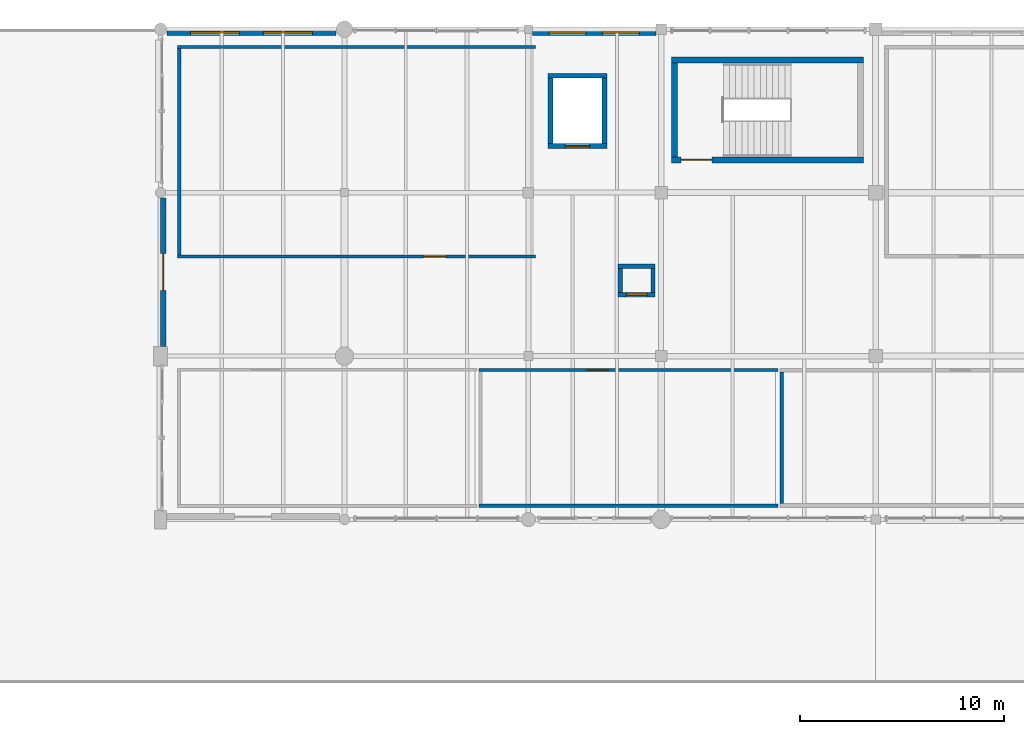
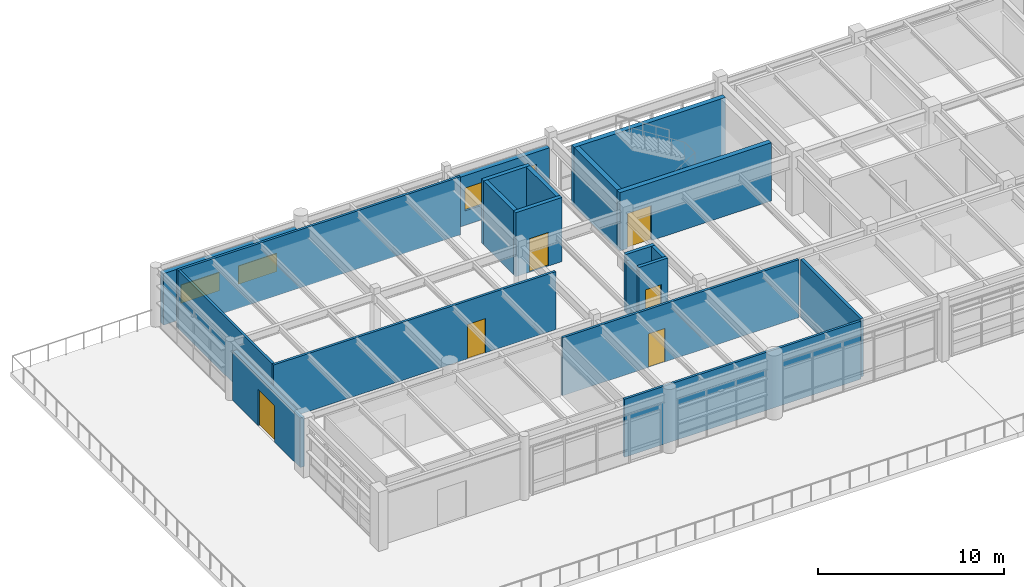
# One storey, part 48 of 56: 20 walls, 6 doors, 4 windows, 10 openings.
"""IFC4 building model written with IfcOpenShell, lengths in metres."""

from ifc_helpers import new_model, si_unit, direction, frame, frame_2d, origin, place, context, subcontext, project, spatial, rectangle, extrude, material, layer, layer_set, type_object, element, fill, save


model = new_model("IFC4")

# Units and contexts
model_context = context("Model", 3, precision=1e-05, world=origin(), true_north=direction((0.0, 1.0)))
body_context = subcontext(model_context, "Body", "Model", "MODEL_VIEW")
ifc_project = project(units=[si_unit("LENGTHUNIT", "METRE"), si_unit("AREAUNIT", "SQUARE_METRE"), si_unit("VOLUMEUNIT", "CUBIC_METRE"), si_unit("PLANEANGLEUNIT", "RADIAN"), si_unit("MASSUNIT", "GRAM", prefix="KILO"), si_unit("THERMODYNAMICTEMPERATUREUNIT", "KELVIN"), si_unit("POWERUNIT", "WATT")], contexts=[model_context])

# Site, building, storey
site_placement = place(None, origin())
site = spatial("IfcSite", under=ifc_project, at=site_placement, CompositionType="ELEMENT")
building_placement = place(site_placement, origin())
building = spatial("IfcBuilding", under=site, at=building_placement, Name="Tepalcoro Natatorium and Aquatics Centre", CompositionType="ELEMENT")
storey_placement = place(building_placement, frame((0.0, 0.0, 14.800048828125)))
storey = spatial("IfcBuildingStorey", under=building, at=storey_placement, Name="L03", CompositionType="ELEMENT", Elevation=14.800048828125)

# Wall, opening, door
ifc_material_1 = material(Name="Precast Concrete C45/55 (fc 45 MPa)", Category="concrete")
ifc_layer_1 = layer(ifc_material_1, 0.260009765625)
ifc_layer_set_1 = layer_set([ifc_layer_1], Name="Precast Concrete C45/55 (fc 45 MPa)")
wall_type_1 = type_object("IfcWallType", Name="WL_EXT_GABLE_260", PredefinedType="SOLIDWALL", material=ifc_layer_set_1)
wall_1_placement = place(storey_placement, frame((107.1298828125, 102.47900390625, 0.0), z_axis=(0.0, 0.0, 1.0), x_axis=(0.0, 1.0, 0.0)))
wall_1 = element("IfcWall", 1, at=wall_1_placement, inside=storey, type_object=wall_type_1, Name="V5 L03 W Volcanic Basalt Envelope Wall", PredefinedType="SOLIDWALL", context=body_context, shape_type="SweptSolid", body=[
    extrude(rectangle(XDim=7.26708984375, YDim=0.260009765625, at=frame_2d((3.633544921875, 0.0))), origin(), (0.0, 0.0, 1.0), 3.238037109375),
])
opening_1_placement = place(wall_1_placement, frame((2.7333984375, 0.0, 0.0)))
opening_1 = element("IfcOpeningElement", 2, at=opening_1_placement, cuts=wall_1, Name="Opening ED5048", PredefinedType="OPENING", context=body_context, shape_type="SweptSolid", body=[
    extrude(rectangle(XDim=1.800048828125, YDim=2.39990234375, at=frame_2d((0.89990234375, 1.199951171875))), frame((0.0, 0.14208984375, 0.0), z_axis=(0.0, -1.0, 0.0), x_axis=(1.0, 0.0, 0.0)), (0.0, 0.0, 1.0), 0.283935546875),
])
ifc_material_2 = material(Name="Bronze-Anodised Extruded Aluminium Alloy EN AW-6063 T6", Category="aluminium")
door_type_1 = type_object("IfcDoorType", Name="DR_180x240_TERR", OperationType="NOTDEFINED", PredefinedType="DOOR", material=ifc_material_2)
door_1_placement = place(opening_1_placement, origin())
door_1 = element("IfcDoor", 3, at=door_1_placement, inside=storey, type_object=door_type_1, Name="V5 L03 Spa Terrace Door W", OperationType="DOUBLE_DOOR_SINGLE_SWING", OverallHeight=2.39990234375, OverallWidth=1.800048828125, PredefinedType="DOOR", context=body_context, shape_type="SweptSolid", body=[
    extrude(rectangle(XDim=1.800048828125, YDim=2.39990234375, at=frame_2d((0.89990234375, 1.199951171875))), frame((0.0, 0.02490234375, 0.0), z_axis=(0.0, -1.0, 0.0), x_axis=(1.0, 0.0, 0.0)), (0.0, 0.0, 1.0), 0.050048828125),
])
fill(opening_1, door_1)

# Wall, openings, windows
ifc_material_3 = material(Name="Jalisco Cantera Rosa Volcanic Tuff Ashlar Masonry", Category="masonry")
ifc_layer_2 = layer(ifc_material_3, 0.304931640625)
ifc_layer_set_2 = layer_set([ifc_layer_2], Name="Jalisco Cantera Rosa Volcanic Tuff Ashlar Masonry")
wall_type_2 = type_object("IfcWallType", Name="WL_EXT_TERRACOTTA_300", PredefinedType="SOLIDWALL", material=ifc_layer_set_2)
wall_2_placement = place(storey_placement, frame((107.303955078125, 117.847412109375, 0.0), z_axis=(0.0, 0.0, 1.0), x_axis=(1.0, 0.0, 0.0)))
wall_2 = element("IfcWall", 4, at=wall_2_placement, inside=storey, type_object=wall_type_2, Name="V5 L03 N Volcanic Basalt Envelope Wall", PredefinedType="SOLIDWALL", context=body_context, shape_type="SweptSolid", body=[
    extrude(rectangle(XDim=8.2919921875, YDim=0.304931640625, at=frame_2d((4.14599609375, 0.0))), origin(), (0.0, 0.0, 1.0), 3.376953125),
])
opening_2_placement = place(wall_2_placement, frame((1.1640625, 0.0, 0.949951171875)))
opening_2 = element("IfcOpeningElement", 5, at=opening_2_placement, cuts=wall_2, Name="Opening W0107A", PredefinedType="OPENING", context=body_context, shape_type="SweptSolid", body=[
    extrude(rectangle(XDim=2.39990234375, YDim=1.199951171875, at=frame_2d((1.199951171875, 0.60009765625))), frame((0.0, 0.16455078125, 0.0), z_axis=(0.0, -1.0, 0.0), x_axis=(1.0, 0.0, 0.0)), (0.0, 0.0, 1.0), 0.328857421875),
])
opening_3_placement = place(wall_2_placement, frame((4.72802734375, 0.0, 0.949951171875)))
opening_3 = element("IfcOpeningElement", 6, at=opening_3_placement, cuts=wall_2, Name="Opening W0107B", PredefinedType="OPENING", context=body_context, shape_type="SweptSolid", body=[
    extrude(rectangle(XDim=2.39990234375, YDim=1.199951171875, at=frame_2d((1.199951171875, 0.60009765625))), frame((0.0, 0.16455078125, 0.0), z_axis=(0.0, -1.0, 0.0), x_axis=(1.0, 0.0, 0.0)), (0.0, 0.0, 1.0), 0.328857421875),
])
ifc_material_4 = material(Name="Solar-Control Bronze Tempered Low-E Double Glazing", Category="glass")
window_type_1 = type_object("IfcWindowType", Name="WN_240x120", PartitioningType="SINGLE_PANEL", PredefinedType="WINDOW", material=ifc_material_4)
window_1_placement = place(opening_2_placement, origin())
window_1 = element("IfcWindow", 7, at=window_1_placement, inside=storey, type_object=window_type_1, Name="Exterior Thermal Window WN_240x120", OverallHeight=1.199951171875, OverallWidth=2.39990234375, PartitioningType="SINGLE_PANEL", PredefinedType="WINDOW", context=body_context, shape_type="SweptSolid", body=[
    extrude(rectangle(XDim=2.39990234375, YDim=1.199951171875, at=frame_2d((1.199951171875, 0.60009765625))), frame((0.0, 0.030029296875, 0.0), z_axis=(0.0, -1.0, 0.0), x_axis=(1.0, 0.0, 0.0)), (0.0, 0.0, 1.0), 0.06005859375),
])
fill(opening_2, window_1)
window_2_placement = place(opening_3_placement, origin())
window_2 = element("IfcWindow", 8, at=window_2_placement, inside=storey, type_object=window_type_1, Name="Exterior Thermal Window WN_240x120", OverallHeight=1.199951171875, OverallWidth=2.39990234375, PartitioningType="SINGLE_PANEL", PredefinedType="WINDOW", context=body_context, shape_type="SweptSolid", body=[
    extrude(rectangle(XDim=2.39990234375, YDim=1.199951171875, at=frame_2d((1.199951171875, 0.60009765625))), frame((0.0, 0.030029296875, 0.0), z_axis=(0.0, -1.0, 0.0), x_axis=(1.0, 0.0, 0.0)), (0.0, 0.0, 1.0), 0.06005859375),
])
fill(opening_3, window_2)

wall_3_placement = place(storey_placement, frame((125.2041015625, 117.847412109375, 0.0), z_axis=(0.0, 0.0, 1.0), x_axis=(1.0, 0.0, 0.0)))
wall_3 = element("IfcWall", 9, at=wall_3_placement, inside=storey, type_object=wall_type_2, Name="V5 L03 N Volcanic Basalt Envelope Wall", PredefinedType="SOLIDWALL", context=body_context, shape_type="SweptSolid", body=[
    extrude(rectangle(XDim=6.0419921875, YDim=0.304931640625, at=frame_2d((3.02099609375, 0.0))), origin(), (0.0, 0.0, 1.0), 3.25390625),
])
opening_4_placement = place(wall_3_placement, frame((0.81396484375, 0.0, 0.949951171875)))
opening_4 = element("IfcOpeningElement", 10, at=opening_4_placement, cuts=wall_3, Name="Opening W0108A", PredefinedType="OPENING", context=body_context, shape_type="SweptSolid", body=[
    extrude(rectangle(XDim=1.800048828125, YDim=1.5, at=frame_2d((0.89990234375, 0.75))), frame((0.0, 0.16455078125, 0.0), z_axis=(0.0, -1.0, 0.0), x_axis=(1.0, 0.0, 0.0)), (0.0, 0.0, 1.0), 0.328857421875),
])
opening_5_placement = place(wall_3_placement, frame((3.427978515625, 0.0, 0.949951171875)))
opening_5 = element("IfcOpeningElement", 11, at=opening_5_placement, cuts=wall_3, Name="Opening W0108B", PredefinedType="OPENING", context=body_context, shape_type="SweptSolid", body=[
    extrude(rectangle(XDim=1.800048828125, YDim=1.5, at=frame_2d((0.89990234375, 0.75))), frame((0.0, 0.16455078125, 0.0), z_axis=(0.0, -1.0, 0.0), x_axis=(1.0, 0.0, 0.0)), (0.0, 0.0, 1.0), 0.328857421875),
])
window_type_2 = type_object("IfcWindowType", Name="WN_180x150", PartitioningType="SINGLE_PANEL", PredefinedType="WINDOW", material=ifc_material_4)
window_3_placement = place(opening_4_placement, origin())
window_3 = element("IfcWindow", 12, at=window_3_placement, inside=storey, type_object=window_type_2, Name="Exterior Thermal Window WN_180x150", OverallHeight=1.5, OverallWidth=1.800048828125, PartitioningType="SINGLE_PANEL", PredefinedType="WINDOW", context=body_context, shape_type="SweptSolid", body=[
    extrude(rectangle(XDim=1.800048828125, YDim=1.5, at=frame_2d((0.89990234375, 0.75))), frame((0.0, 0.030029296875, 0.0), z_axis=(0.0, -1.0, 0.0), x_axis=(1.0, 0.0, 0.0)), (0.0, 0.0, 1.0), 0.06005859375),
])
fill(opening_4, window_3)
window_4_placement = place(opening_5_placement, origin())
window_4 = element("IfcWindow", 13, at=window_4_placement, inside=storey, type_object=window_type_2, Name="Exterior Thermal Window WN_180x150", OverallHeight=1.5, OverallWidth=1.800048828125, PartitioningType="SINGLE_PANEL", PredefinedType="WINDOW", context=body_context, shape_type="SweptSolid", body=[
    extrude(rectangle(XDim=1.800048828125, YDim=1.5, at=frame_2d((0.89990234375, 0.75))), frame((0.0, 0.030029296875, 0.0), z_axis=(0.0, -1.0, 0.0), x_axis=(1.0, 0.0, 0.0)), (0.0, 0.0, 1.0), 0.06005859375),
])
fill(opening_5, window_4)

# Wall
ifc_material_5 = material(Name="Moisture-Resistant Acoustic Gypsum Drywall on Cold-Formed Metal Studs")
ifc_layer_3 = layer(ifc_material_5, 0.14990234375)
ifc_layer_set_3 = layer_set([ifc_layer_3], Name="Moisture-Resistant Acoustic Gypsum Drywall on Cold-Formed Metal Studs")
wall_type_3 = type_object("IfcWallType", Name="WL_PART_150_AC", PredefinedType="PARTITIONING", material=ifc_layer_set_3)
wall_4_placement = place(storey_placement, frame((122.572998046875, 94.675048828125, 0.0), z_axis=(0.0, 0.0, 1.0), x_axis=(1.0, 0.0, 0.0)))
element("IfcWall", 14, at=wall_4_placement, inside=storey, type_object=wall_type_3, Name="Hypoxic Altitude Simulation Training Chamber Partition S", PredefinedType="PARTITIONING", context=body_context, shape_type="SweptSolid", body=[
    extrude(rectangle(XDim=14.654052734375, YDim=0.14990234375, at=frame_2d((7.3271484375, 0.0))), origin(), (0.0, 0.0, 1.0), 3.804931640625),
])

# Wall, opening, door
wall_5_placement = place(storey_placement, frame((122.572998046875, 101.324951171875, 0.0), z_axis=(0.0, 0.0, 1.0), x_axis=(1.0, 0.0, 0.0)))
wall_5 = element("IfcWall", 15, at=wall_5_placement, inside=storey, type_object=wall_type_3, Name="Hypoxic Altitude Simulation Training Chamber Partition N", PredefinedType="PARTITIONING", context=body_context, shape_type="SweptSolid", body=[
    extrude(rectangle(XDim=14.654052734375, YDim=0.14990234375, at=frame_2d((7.3271484375, 0.0))), origin(), (0.0, 0.0, 1.0), 3.804931640625),
])
opening_6_placement = place(wall_5_placement, frame((5.31298828125, 0.0, 0.0)))
opening_6 = element("IfcOpeningElement", 16, at=opening_6_placement, cuts=wall_5, Name="Opening D0183", PredefinedType="OPENING", context=body_context, shape_type="SweptSolid", body=[
    extrude(rectangle(XDim=1.02001953125, YDim=2.199951171875, at=frame_2d((0.510009765625, 1.10009765625))), frame((0.0, 0.0869140625, 0.0), z_axis=(0.0, -1.0, 0.0), x_axis=(1.0, 0.0, 0.0)), (0.0, 0.0, 1.0), 0.173828125),
])
ifc_material_6 = material(Name="Galvanised Steel Insulated Acoustic Fire Door Assembly", Category="steel")
door_type_2 = type_object("IfcDoorType", Name="DR_100x220_FD90", OperationType="NOTDEFINED", PredefinedType="DOOR", material=ifc_material_6)
door_2_placement = place(opening_6_placement, frame((1.02001953125, 0.0, 0.0), z_axis=(0.0, 0.0, 1.0), x_axis=(-1.0, 0.0, 0.0)))
door_2 = element("IfcDoor", 17, at=door_2_placement, inside=storey, type_object=door_type_2, Name="Hypoxic Altitude Simulation Training Chamber Door", OperationType="SINGLE_SWING_RIGHT", OverallHeight=2.199951171875, OverallWidth=1.02001953125, PredefinedType="DOOR", context=body_context, shape_type="SweptSolid", body=[
    extrude(rectangle(XDim=1.02001953125, YDim=2.199951171875, at=frame_2d((0.510009765625, 1.10009765625))), frame((0.0, 0.02490234375, 0.0), z_axis=(0.0, -1.0, 0.0), x_axis=(1.0, 0.0, 0.0)), (0.0, 0.0, 1.0), 0.050048828125),
])
fill(opening_6, door_2)

wall_6_placement = place(storey_placement, frame((107.840087890625, 106.875, 0.0), z_axis=(0.0, 0.0, 1.0), x_axis=(1.0, 0.0, 0.0)))
wall_6 = element("IfcWall", 18, at=wall_6_placement, inside=storey, type_object=wall_type_3, Name="Biochemistry & Haematology Physiology Lab Partition S", PredefinedType="PARTITIONING", context=body_context, shape_type="SweptSolid", body=[
    extrude(rectangle(XDim=17.52001953125, YDim=0.14990234375, at=frame_2d((8.760009765625, 0.0))), origin(), (0.0, 0.0, 1.0), 3.804931640625),
])
opening_7_placement = place(wall_6_placement, frame((12.0400390625, 0.0, 0.0)))
opening_7 = element("IfcOpeningElement", 19, at=opening_7_placement, cuts=wall_6, Name="Opening D0187", PredefinedType="OPENING", context=body_context, shape_type="SweptSolid", body=[
    extrude(rectangle(XDim=1.10009765625, YDim=2.25, at=frame_2d((0.550048828125, 1.125))), frame((0.0, 0.0869140625, 0.0), z_axis=(0.0, -1.0, 0.0), x_axis=(1.0, 0.0, 0.0)), (0.0, 0.0, 1.0), 0.173828125),
])
ifc_material_7 = material(Name="Solid-Core Moisture-Sealed Oak Timber Leaf in Aluminium Frame", Category="wood")
door_type_3 = type_object("IfcDoorType", Name="DR_110x225", OperationType="NOTDEFINED", PredefinedType="DOOR", material=ifc_material_7)
door_3_placement = place(opening_7_placement, origin())
door_3 = element("IfcDoor", 20, at=door_3_placement, inside=storey, type_object=door_type_3, Name="Biochemistry & Haematology Physiology Lab Door", OperationType="SINGLE_SWING_RIGHT", OverallHeight=2.25, OverallWidth=1.10009765625, PredefinedType="DOOR", context=body_context, shape_type="SweptSolid", body=[
    extrude(rectangle(XDim=1.10009765625, YDim=2.25, at=frame_2d((0.550048828125, 1.125))), frame((0.0, 0.02490234375, 0.0), z_axis=(0.0, -1.0, 0.0), x_axis=(1.0, 0.0, 0.0)), (0.0, 0.0, 1.0), 0.050048828125),
])
fill(opening_7, door_3)

# Walls
wall_7_placement = place(storey_placement, frame((107.840087890625, 117.125, 0.0), z_axis=(0.0, 0.0, 1.0), x_axis=(1.0, 0.0, 0.0)))
element("IfcWall", 21, at=wall_7_placement, inside=storey, type_object=wall_type_3, Name="Biochemistry & Haematology Physiology Lab Partition N", PredefinedType="PARTITIONING", context=body_context, shape_type="SweptSolid", body=[
    extrude(rectangle(XDim=17.52001953125, YDim=0.14990234375, at=frame_2d((8.760009765625, 0.0))), origin(), (0.0, 0.0, 1.0), 3.804931640625),
])
wall_8_placement = place(storey_placement, frame((107.9150390625, 106.949951171875, 0.0), z_axis=(0.0, 0.0, 1.0), x_axis=(0.0, 1.0, 0.0)))
element("IfcWall", 22, at=wall_8_placement, inside=storey, type_object=wall_type_3, Name="Biochemistry & Haematology Physiology Lab Partition W", PredefinedType="PARTITIONING", context=body_context, shape_type="SweptSolid", body=[
    extrude(rectangle(XDim=10.10009765625, YDim=0.14990234375, at=frame_2d((5.050048828125, 0.0))), origin(), (0.0, 0.0, 1.0), 3.804931640625),
])
ifc_layer_4 = layer(ifc_material_5, 0.179931640625)
ifc_layer_set_4 = layer_set([ifc_layer_4], Name="Moisture-Resistant Acoustic Gypsum Drywall on Cold-Formed Metal Studs")
wall_type_4 = type_object("IfcWallType", Name="WL_PART_180_AC", PredefinedType="PARTITIONING", material=ifc_layer_set_4)
wall_9_placement = place(storey_placement, frame((137.39697265625, 94.780029296875, 0.0), z_axis=(0.0, 0.0, 1.0), x_axis=(0.0, 1.0, 0.0)))
element("IfcWall", 23, at=wall_9_placement, inside=storey, type_object=wall_type_4, Name="Swim-Flume Fluid Dynamics & Drag Research Lab Partition W", PredefinedType="PARTITIONING", context=body_context, shape_type="SweptSolid", body=[
    extrude(rectangle(XDim=6.43994140625, YDim=0.179931640625, at=frame_2d((3.219970703125, 0.0))), origin(), (0.0, 0.0, 1.0), 3.804931640625),
])

# Wall, opening, door
ifc_material_8 = material(Name="Concrete C40/50 (fc 40 MPa)", Category="concrete")
ifc_layer_5 = layer(ifc_material_8, 0.239990234375)
ifc_layer_set_5 = layer_set([ifc_layer_5], Name="Concrete C40/50 (fc 40 MPa)")
wall_type_5 = type_object("IfcWallType", Name="WL_SHAFT_240", PredefinedType="SOLIDWALL", material=ifc_layer_set_5)
wall_10_placement = place(storey_placement, frame((125.9599609375, 112.280029296875, 0.0), z_axis=(0.0, 0.0, 1.0), x_axis=(1.0, 0.0, 0.0)))
wall_10 = element("IfcWall", 24, at=wall_10_placement, inside=storey, type_object=wall_type_5, Name="LF05 Lift Shaft Wall S L03", PredefinedType="SOLIDWALL", context=body_context, shape_type="SweptSolid", body=[
    extrude(rectangle(XDim=2.880126953125, YDim=0.239990234375, at=frame_2d((1.43994140625, 0.0))), origin(), (0.0, 0.0, 1.0), 4.199951171875),
])
opening_8_placement = place(wall_10_placement, frame((0.840087890625, 0.0, 0.0)))
opening_8 = element("IfcOpeningElement", 25, at=opening_8_placement, cuts=wall_10, Name="Opening LD-LF05-L03", PredefinedType="OPENING", context=body_context, shape_type="SweptSolid", body=[
    extrude(rectangle(XDim=1.199951171875, YDim=2.199951171875, at=frame_2d((0.60009765625, 1.10009765625))), frame((0.0, 0.1318359375, 0.0), z_axis=(0.0, -1.0, 0.0), x_axis=(1.0, 0.0, 0.0)), (0.0, 0.0, 1.0), 0.263916015625),
])
ifc_material_9 = material(Name="Marine-Grade Brushed Stainless Steel AISI 316L", Category="steel")
door_type_4 = type_object("IfcDoorType", Name="DR_120x220_LIFT", OperationType="NOTDEFINED", PredefinedType="USERDEFINED", material=ifc_material_9)
door_4_placement = place(opening_8_placement, origin())
door_4 = element("IfcDoor", 26, at=door_4_placement, inside=storey, type_object=door_type_4, Name="LF05 Lift Landing Sliding Door (L03)", ObjectType="SLIDING LANDING DOOR", OperationType="SLIDING_TO_RIGHT", OverallHeight=2.199951171875, OverallWidth=1.199951171875, PredefinedType="USERDEFINED", context=body_context, shape_type="SweptSolid", body=[
    extrude(rectangle(XDim=1.199951171875, YDim=2.199951171875, at=frame_2d((0.60009765625, 1.10009765625))), frame((0.0, 0.02490234375, 0.0), z_axis=(0.0, -1.0, 0.0), x_axis=(1.0, 0.0, 0.0)), (0.0, 0.0, 1.0), 0.050048828125),
])
fill(opening_8, door_4)

# Walls
wall_11_placement = place(storey_placement, frame((125.9599609375, 115.719970703125, 0.0), z_axis=(0.0, 0.0, 1.0), x_axis=(1.0, 0.0, 0.0)))
element("IfcWall", 27, at=wall_11_placement, inside=storey, type_object=wall_type_5, Name="LF05 Lift Shaft Wall N L03", PredefinedType="SOLIDWALL", context=body_context, shape_type="SweptSolid", body=[
    extrude(rectangle(XDim=2.880126953125, YDim=0.239990234375, at=frame_2d((1.43994140625, 0.0))), origin(), (0.0, 0.0, 1.0), 4.199951171875),
])
for number, where, z_axis, x_axis, name in (
    (28, (126.080078125, 112.39990234375, 0.0), (0.0, 0.0, 1.0), (0.0, 1.0, 0.0), "LF05 Lift Shaft Wall W L03"),
    (29, (128.719970703125, 112.39990234375, 0.0), (0.0, 0.0, 1.0), (0.0, 1.0, 0.0), "LF05 Lift Shaft Wall E L03"),
):
    element("IfcWall", number, at=place(storey_placement, frame(where, z_axis=z_axis, x_axis=x_axis)), inside=storey, type_object=wall_type_5, Name=name, PredefinedType="SOLIDWALL", context=body_context, shape_type="SweptSolid", body=[
        extrude(rectangle(XDim=3.2001953125, YDim=0.239990234375, at=frame_2d((1.60009765625, 0.0))), origin(), (0.0, 0.0, 1.0), 4.199951171875),
    ])

# Wall, opening, door
ifc_layer_6 = layer(ifc_material_8, 0.300048828125)
ifc_layer_set_6 = layer_set([ifc_layer_6], Name="Concrete C40/50 (fc 40 MPa)")
wall_type_6 = type_object("IfcWallType", Name="WL_SHEAR_300", PredefinedType="SHEAR", material=ifc_layer_set_6)
wall_12_placement = place(storey_placement, frame((132.0, 111.60009765625, 0.0), z_axis=(0.0, 0.0, 1.0), x_axis=(1.0, 0.0, 0.0)))
wall_12 = element("IfcWall", 30, at=wall_12_placement, inside=storey, type_object=wall_type_6, Name="ST09 Core Shear Wall S L03", PredefinedType="SHEAR", context=body_context, shape_type="SweptSolid", body=[
    extrude(rectangle(XDim=9.39990234375, YDim=0.300048828125, at=frame_2d((4.699951171875, 0.0))), origin(), (0.0, 0.0, 1.0), 3.820068359375),
])
opening_9_placement = place(wall_12_placement, frame((0.47998046875, 0.0, 0.0)))
opening_9 = element("IfcOpeningElement", 31, at=opening_9_placement, cuts=wall_12, Name="Opening D0036", PredefinedType="OPENING", context=body_context, shape_type="SweptSolid", body=[
    extrude(rectangle(XDim=1.5, YDim=2.300048828125, at=frame_2d((0.75, 1.14990234375))), frame((0.0, 0.162109375, 0.0), z_axis=(0.0, -1.0, 0.0), x_axis=(1.0, 0.0, 0.0)), (0.0, 0.0, 1.0), 0.323974609375),
])
door_type_5 = type_object("IfcDoorType", Name="DR_150x230_FD60", OperationType="NOTDEFINED", PredefinedType="DOOR", material=ifc_material_6)
door_5_placement = place(opening_9_placement, origin())
door_5 = element("IfcDoor", 32, at=door_5_placement, inside=storey, type_object=door_type_5, Name="ST09 Fire Stair Door (L03)", OperationType="DOUBLE_DOOR_SINGLE_SWING", OverallHeight=2.300048828125, OverallWidth=1.5, PredefinedType="DOOR", context=body_context, shape_type="SweptSolid", body=[
    extrude(rectangle(XDim=1.5, YDim=2.300048828125, at=frame_2d((0.75, 1.14990234375))), frame((0.0, 0.02490234375, 0.0), z_axis=(0.0, -1.0, 0.0), x_axis=(1.0, 0.0, 0.0)), (0.0, 0.0, 1.0), 0.050048828125),
])
fill(opening_9, door_5)

# Walls
wall_13_placement = place(storey_placement, frame((132.0, 116.5, 0.0), z_axis=(0.0, 0.0, 1.0), x_axis=(1.0, 0.0, 0.0)))
element("IfcWall", 33, at=wall_13_placement, inside=storey, type_object=wall_type_6, Name="ST09 Core Shear Wall N L03", PredefinedType="SHEAR", context=body_context, shape_type="SweptSolid", body=[
    extrude(rectangle(XDim=9.39990234375, YDim=0.300048828125, at=frame_2d((4.699951171875, 0.0))), origin(), (0.0, 0.0, 1.0), 3.820068359375),
])
wall_14_placement = place(storey_placement, frame((132.14990234375, 111.75, 0.0), z_axis=(0.0, 0.0, 1.0), x_axis=(0.0, 1.0, 0.0)))
element("IfcWall", 34, at=wall_14_placement, inside=storey, type_object=wall_type_6, Name="ST09 Core Shear Wall W L03", PredefinedType="SHEAR", context=body_context, shape_type="SweptSolid", body=[
    extrude(rectangle(XDim=4.60009765625, YDim=0.300048828125, at=frame_2d((2.300048828125, 0.0))), origin(), (0.0, 0.0, 1.0), 3.820068359375),
])

# Wall, opening, door
ifc_material_10 = material(Name="Concrete C35/45 (fc 35 MPa)", Category="concrete")
ifc_layer_7 = layer(ifc_material_10, 0.205078125)
ifc_layer_set_7 = layer_set([ifc_layer_7], Name="Concrete C35/45 (fc 35 MPa)")
wall_type_7 = type_object("IfcWallType", Name="WL_SOLID_200_FR120", PredefinedType="SOLIDWALL", material=ifc_layer_set_7)
wall_15_placement = place(storey_placement, frame((129.39990234375, 105.00244140625, 0.0), z_axis=(0.0, 0.0, 1.0), x_axis=(1.0, 0.0, 0.0)))
wall_15 = element("IfcWall", 35, at=wall_15_placement, inside=storey, type_object=wall_type_7, Name="V5 L03 MEP Switchgear & Telecom Closet Partition S", PredefinedType="SOLIDWALL", context=body_context, shape_type="SweptSolid", body=[
    extrude(rectangle(XDim=1.800048828125, YDim=0.205078125, at=frame_2d((0.89990234375, 0.0))), origin(), (0.0, 0.0, 1.0), 3.804931640625),
])
opening_10_placement = place(wall_15_placement, frame((0.39990234375, 0.0, 0.0)))
opening_10 = element("IfcOpeningElement", 36, at=opening_10_placement, cuts=wall_15, Name="Opening D0050", PredefinedType="OPENING", context=body_context, shape_type="SweptSolid", body=[
    extrude(rectangle(XDim=1.0, YDim=2.199951171875, at=frame_2d((0.5, 1.10009765625))), frame((0.0, 0.114501953125, 0.0), z_axis=(0.0, -1.0, 0.0), x_axis=(1.0, 0.0, 0.0)), (0.0, 0.0, 1.0), 0.22900390625),
])
door_type_6 = type_object("IfcDoorType", Name="DR_100x220_FD60", OperationType="NOTDEFINED", PredefinedType="DOOR", material=ifc_material_6)
door_6_placement = place(opening_10_placement, origin())
door_6 = element("IfcDoor", 37, at=door_6_placement, inside=storey, type_object=door_type_6, Name="V5 L03 MEP Switchgear & Telecom Closet Door", OperationType="SINGLE_SWING_RIGHT", OverallHeight=2.199951171875, OverallWidth=1.0, PredefinedType="DOOR", context=body_context, shape_type="SweptSolid", body=[
    extrude(rectangle(XDim=1.0, YDim=2.199951171875, at=frame_2d((0.5, 1.10009765625))), frame((0.0, 0.02490234375, 0.0), z_axis=(0.0, -1.0, 0.0), x_axis=(1.0, 0.0, 0.0)), (0.0, 0.0, 1.0), 0.050048828125),
])
fill(opening_10, door_6)

# Walls
wall_16_placement = place(storey_placement, frame((129.39990234375, 106.3974609375, 0.0), z_axis=(0.0, 0.0, 1.0), x_axis=(1.0, 0.0, 0.0)))
element("IfcWall", 38, at=wall_16_placement, inside=storey, type_object=wall_type_7, Name="V5 L03 MEP Switchgear & Telecom Closet Partition N", PredefinedType="SOLIDWALL", context=body_context, shape_type="SweptSolid", body=[
    extrude(rectangle(XDim=1.800048828125, YDim=0.205078125, at=frame_2d((0.89990234375, 0.0))), origin(), (0.0, 0.0, 1.0), 3.804931640625),
])
wall_17_placement = place(storey_placement, frame((131.097412109375, 105.10498046875, 0.0), z_axis=(0.0, 0.0, 1.0), x_axis=(0.0, 1.0, 0.0)))
element("IfcWall", 39, at=wall_17_placement, inside=storey, type_object=wall_type_7, Name="V5 L03 MEP Switchgear & Telecom Closet Partition E", PredefinedType="SOLIDWALL", context=body_context, shape_type="SweptSolid", body=[
    extrude(rectangle(XDim=1.18994140625, YDim=0.205078125, at=frame_2d((0.594970703125, 0.0))), origin(), (0.0, 0.0, 1.0), 3.804931640625),
])
wall_18_placement = place(storey_placement, frame((129.50244140625, 105.10498046875, 0.0), z_axis=(0.0, 0.0, 1.0), x_axis=(0.0, 1.0, 0.0)))
element("IfcWall", 40, at=wall_18_placement, inside=storey, type_object=wall_type_7, Name="V5 L03 MEP Switchgear & Telecom Closet Partition W", PredefinedType="SOLIDWALL", context=body_context, shape_type="SweptSolid", body=[
    extrude(rectangle(XDim=1.18994140625, YDim=0.205078125, at=frame_2d((0.594970703125, 0.0))), origin(), (0.0, 0.0, 1.0), 3.3798828125),
])

save(model, "model.ifc")
